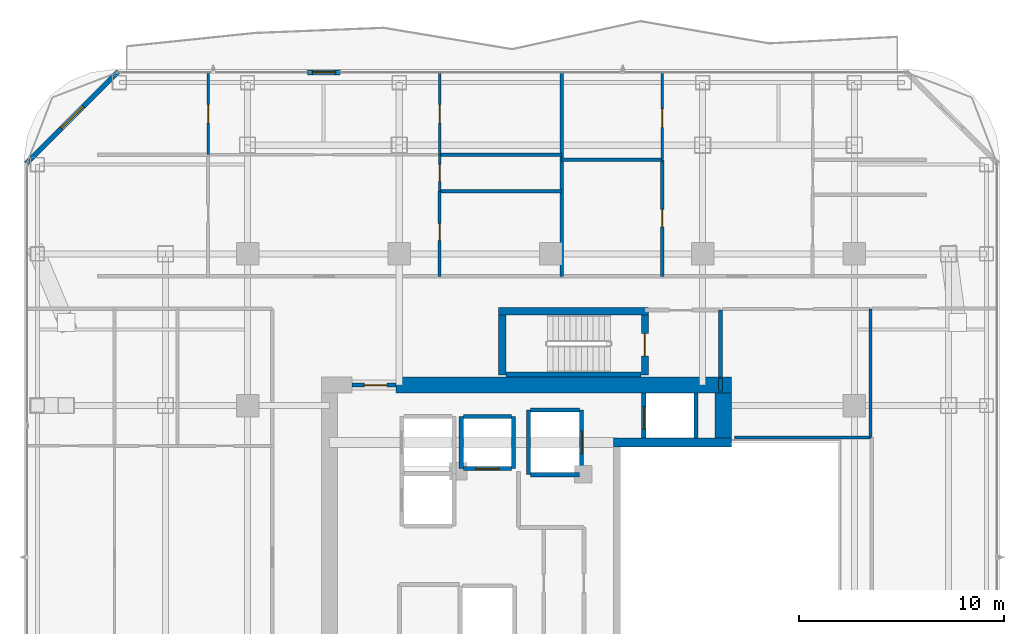
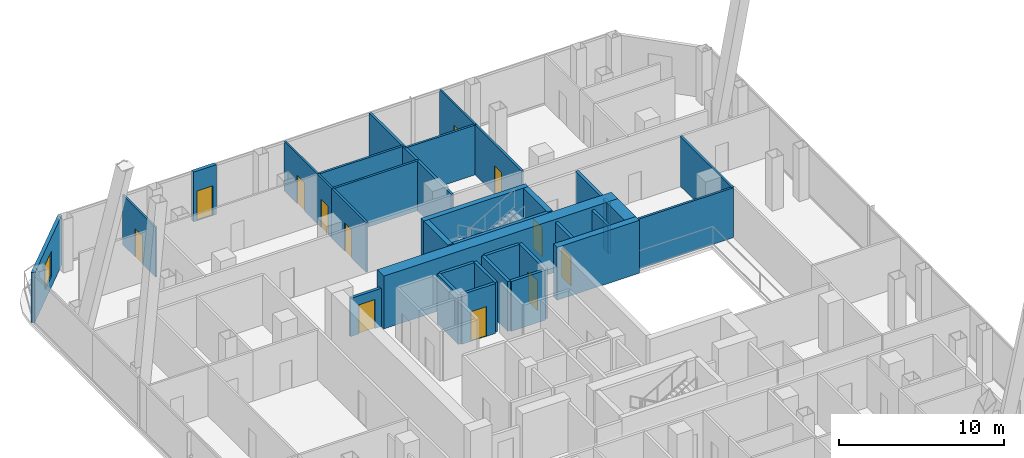
# One storey, part 26 of 34: 34 walls, 12 doors, 1 window, 13 openings.
"""IFC4 building model written with IfcOpenShell, lengths in metres."""

from ifc_helpers import new_model, si_unit, direction, frame, frame_2d, origin, place, context, subcontext, project, spatial, rectangle, extrude, material, layer, layer_set, type_object, element, fill, save


model = new_model("IFC4")

# Units and contexts
model_context = context("Model", 3, precision=1e-05, world=origin(), true_north=direction((0.0, 1.0)))
body_context = subcontext(model_context, "Body", "Model", "MODEL_VIEW")
ifc_project = project(units=[si_unit("LENGTHUNIT", "METRE"), si_unit("AREAUNIT", "SQUARE_METRE"), si_unit("VOLUMEUNIT", "CUBIC_METRE"), si_unit("PLANEANGLEUNIT", "RADIAN"), si_unit("MASSUNIT", "GRAM", prefix="KILO")], contexts=[model_context])

# Site, building, storey
site_placement = place(None, origin())
site = spatial("IfcSite", under=ifc_project, at=site_placement, CompositionType="ELEMENT")
building_placement = place(site_placement, origin())
building = spatial("IfcBuilding", under=site, at=building_placement, Name="Khorvyn Point Tower", CompositionType="ELEMENT")
storey_placement = place(building_placement, frame((0.0, 0.0, 175.800048828125)))
storey = spatial("IfcBuildingStorey", under=building, at=storey_placement, Name="L43", CompositionType="ELEMENT", Elevation=175.800048828125)

# Wall
ifc_material_1 = material(Name="Double acoustic gypsum on twin steel stud", Category="steel")
ifc_layer_1 = layer(ifc_material_1, 0.179931640625)
ifc_layer_set_1 = layer_set([ifc_layer_1], Name="Acoustic Double-Stud Apartment Demising Wall 180")
wall_type_1 = type_object("IfcWallType", Name="Acoustic Double-Stud Apartment Demising Wall 180", PredefinedType="PARTITIONING", material=ifc_layer_set_1)
wall_1_placement = place(storey_placement, frame((0.52587890625, 13.699951171875, 0.0), z_axis=(0.0, 0.0, 1.0), x_axis=(0.0, 1.0, 0.0)))
element("IfcWall", 1, at=wall_1_placement, inside=storey, type_object=wall_type_1, Name="Wall", PredefinedType="PARTITIONING", context=body_context, shape_type="SweptSolid", body=[
    extrude(rectangle(XDim=9.929931640625, YDim=0.179931640625, at=frame_2d((4.96484375, 0.0))), origin(), (0.0, 0.0, 1.0), 3.679931640625),
])

# Wall, opening, door
ifc_material_2 = material(Name="Pale anodised aluminium rainscreen on steel stud", Category="steel")
ifc_layer_2 = layer(ifc_material_2, 0.239990234375)
ifc_layer_set_2 = layer_set([ifc_layer_2], Name="Anodised Aluminium Insulated Corner Spandrel Wall 240")
wall_type_2 = type_object("IfcWallType", Name="Anodised Aluminium Insulated Corner Spandrel Wall 240", PredefinedType="SOLIDWALL", material=ifc_layer_set_2)
wall_2_placement = place(storey_placement, frame((-11.866943359375, 23.64990234375, 0.0), z_axis=(0.0, 0.0, 1.0), x_axis=(1.0, 0.0, 0.0)))
wall_2 = element("IfcWall", 2, at=wall_2_placement, inside=storey, type_object=wall_type_2, Name="L43 North Outdoor Threshold Wall", PredefinedType="SOLIDWALL", context=body_context, shape_type="SweptSolid", body=[
    extrude(rectangle(XDim=1.579833984375, YDim=0.239990234375, at=frame_2d((0.7900390625, 0.0))), origin(), (0.0, 0.0, 1.0), 3.679931640625),
])
opening_1_placement = place(wall_2_placement, frame((0.239990234375, 0.0, 0.0)))
opening_1 = element("IfcOpeningElement", 3, at=opening_1_placement, cuts=wall_2, Name="Opening BD-1122", PredefinedType="OPENING", context=body_context, shape_type="SweptSolid", body=[
    extrude(rectangle(XDim=1.10009765625, YDim=2.199951171875, at=frame_2d((0.550048828125, 1.10009765625))), frame((0.0, 0.1298828125, 0.0), z_axis=(0.0, -1.0, 0.0), x_axis=(1.0, 0.0, 0.0)), (0.0, 0.0, 1.0), 0.260009765625),
])
ifc_material_3 = material(Name="Anodised aluminium 6063-T6 and laminated Low-E glass", Category="aluminium")
door_type_1 = type_object("IfcDoorType", Name="Glazed Balcony and Terrace Threshold Door 1100x2200", OperationType="NOTDEFINED", PredefinedType="DOOR", material=ifc_material_3)
door_1_placement = place(opening_1_placement, origin())
door_1 = element("IfcDoor", 4, at=door_1_placement, inside=storey, type_object=door_type_1, Name="L43 North Glazed Balcony Outdoor Door", OperationType="SINGLE_SWING_RIGHT", OverallHeight=2.199951171875, OverallWidth=1.10009765625, PredefinedType="DOOR", context=body_context, shape_type="SweptSolid", body=[
    extrude(rectangle(XDim=1.10009765625, YDim=2.199951171875, at=frame_2d((0.550048828125, 1.10009765625))), frame((0.0, 0.02490234375, 0.0), z_axis=(0.0, -1.0, 0.0), x_axis=(1.0, 0.0, 0.0)), (0.0, 0.0, 1.0), 0.050048828125),
])
fill(opening_1, door_1)

# Wall, opening, window
wall_3_placement = place(storey_placement, frame((-25.59228515625, 19.20751953125, 0.0), z_axis=(0.0, 0.0, 1.0), x_axis=(0.707087534163, 0.707126027686, 0.0)))
wall_3 = element("IfcWall", 5, at=wall_3_placement, inside=storey, type_object=wall_type_2, Name="L43 Rounded Corner Wall NW", PredefinedType="SOLIDWALL", context=body_context, shape_type="SweptSolid", body=[
    extrude(rectangle(XDim=6.34228515625, YDim=0.239990234375, at=frame_2d((3.171142578125, 0.0))), origin(), (0.0, 0.0, 1.0), 3.679931640625),
])
opening_2_placement = place(wall_3_placement, frame((2.42138671875, 0.0, 0.800048828125)))
opening_2 = element("IfcOpeningElement", 6, at=opening_2_placement, cuts=wall_3, Name="Opening WN-1518", PredefinedType="OPENING", context=body_context, shape_type="SweptSolid", body=[
    extrude(rectangle(XDim=1.5, YDim=1.85009765625, at=frame_2d((0.75, 0.925048828125))), frame((0.0, 0.1298828125, 0.0), z_axis=(0.0, -1.0, 0.0), x_axis=(1.0, 0.0, 0.0)), (0.0, 0.0, 1.0), 0.260009765625),
])
window_type = type_object("IfcWindowType", Name="Anodised Aluminium Rounded-Corner Panoramic Window 1500x1850", PartitioningType="SINGLE_PANEL", PredefinedType="WINDOW", material=ifc_material_3)
window_placement = place(opening_2_placement, origin())
window = element("IfcWindow", 7, at=window_placement, inside=storey, type_object=window_type, Name="L43 Corner Panoramic Window NW", OverallHeight=1.85009765625, OverallWidth=1.5, PartitioningType="SINGLE_PANEL", PredefinedType="WINDOW", context=body_context, shape_type="SweptSolid", body=[
    extrude(rectangle(XDim=1.5, YDim=1.85009765625, at=frame_2d((0.75, 0.925048828125))), frame((0.0, 0.030029296875, 0.0), z_axis=(0.0, -1.0, 0.0), x_axis=(1.0, 0.0, 0.0)), (0.0, 0.0, 1.0), 0.06005859375),
])
fill(opening_2, window)

# Wall
ifc_material_4 = material(Name="Concrete C40/50", Category="concrete")
ifc_layer_3 = layer(ifc_material_4, 0.449951171875)
ifc_layer_set_3 = layer_set([ifc_layer_3], Name="Concrete C40/50 Core Shear Wall 450")
wall_type_3 = type_object("IfcWallType", Name="Concrete C40/50 Core Shear Wall 450", PredefinedType="SHEAR", material=ifc_layer_set_3)
wall_4_placement = place(storey_placement, frame((3.044921875, 5.60009765625, 0.0), z_axis=(0.0, 0.0, 1.0), x_axis=(1.0, 0.0, 0.0)))
element("IfcWall", 8, at=wall_4_placement, inside=storey, type_object=wall_type_3, Name="Wall", PredefinedType="SHEAR", context=body_context, shape_type="SweptSolid", body=[
    extrude(rectangle(XDim=5.755126953125, YDim=0.449951171875, at=frame_2d((2.87744140625, 0.0))), origin(), (0.0, 0.0, 1.0), 3.89990234375),
])

# Wall, opening, door
ifc_layer_4 = layer(ifc_material_4, 0.199951171875)
ifc_layer_set_4 = layer_set([ifc_layer_4], Name="Concrete C40/50 Fire-Lobby Compartment Wall 200")
wall_type_4 = type_object("IfcWallType", Name="Concrete C40/50 Fire-Lobby Compartment Wall 200", PredefinedType="SOLIDWALL", material=ifc_layer_set_4)
wall_5_placement = place(storey_placement, frame((-9.699951171875, 8.39990234375, 0.0), z_axis=(0.0, 0.0, 1.0), x_axis=(1.0, 0.0, 0.0)))
wall_5 = element("IfcWall", 9, at=wall_5_placement, inside=storey, type_object=wall_type_4, Name="Wall", PredefinedType="SOLIDWALL", context=body_context, shape_type="SweptSolid", body=[
    extrude(rectangle(XDim=2.14990234375, YDim=0.199951171875, at=frame_2d((1.074951171875, 0.0))), origin(), (0.0, 0.0, 1.0), 2.820068359375),
])
opening_3_placement = place(wall_5_placement, frame((0.597900390625, 0.0, 0.0)))
opening_3 = element("IfcOpeningElement", 10, at=opening_3_placement, cuts=wall_5, Name="Opening ID-FL90", PredefinedType="OPENING", context=body_context, shape_type="SweptSolid", body=[
    extrude(rectangle(XDim=1.10009765625, YDim=2.14990234375, at=frame_2d((0.550048828125, 1.074951171875))), frame((0.0, 0.10986328125, 0.0), z_axis=(0.0, -1.0, 0.0), x_axis=(1.0, 0.0, 0.0)), (0.0, 0.0, 1.0), 0.219970703125),
])
ifc_material_5 = material(Name="Galvanised powder-coated steel", Category="steel")
door_type_2 = type_object("IfcDoorType", Name="Fire-Rated Steel Lobby and Stair Door 1100x2150", OperationType="NOTDEFINED", PredefinedType="DOOR", material=ifc_material_5)
door_2_placement = place(opening_3_placement, origin())
door_2 = element("IfcDoor", 11, at=door_2_placement, inside=storey, type_object=door_type_2, Name="Door", OperationType="SINGLE_SWING_LEFT", OverallHeight=2.14990234375, OverallWidth=1.10009765625, PredefinedType="DOOR", context=body_context, shape_type="SweptSolid", body=[
    extrude(rectangle(XDim=1.10009765625, YDim=2.14990234375, at=frame_2d((0.550048828125, 1.074951171875))), frame((0.0, 0.02490234375, 0.0), z_axis=(0.0, -1.0, 0.0), x_axis=(1.0, 0.0, 0.0)), (0.0, 0.0, 1.0), 0.050048828125),
])
fill(opening_3, door_2)

# Walls
wall_6_placement = place(storey_placement, frame((8.280029296875, 8.800048828125, 0.0), z_axis=(0.0, 0.0, 1.0), x_axis=(0.0, 1.0, 0.0)))
element("IfcWall", 12, at=wall_6_placement, inside=storey, type_object=wall_type_4, Name="Wall", PredefinedType="SOLIDWALL", context=body_context, shape_type="SweptSolid", body=[
    extrude(rectangle(XDim=3.260009765625, YDim=0.199951171875, at=frame_2d((1.6298828125, 0.0))), origin(), (0.0, 0.0, 1.0), 3.679931640625),
])
wall_7_placement = place(storey_placement, frame((8.280029296875, 8.10009765625, 0.0), z_axis=(0.0, 0.0, 1.0), x_axis=(0.0, 1.0, 0.0)))
element("IfcWall", 13, at=wall_7_placement, inside=storey, type_object=wall_type_4, Name="Wall", PredefinedType="SOLIDWALL", context=body_context, shape_type="SweptSolid", body=[
    extrude(rectangle(XDim=0.625, YDim=0.199951171875, at=frame_2d((0.3125, 0.0))), origin(), (0.0, 0.0, 1.0), 3.679931640625),
])
ifc_layer_5 = layer(ifc_material_4, 0.25)
ifc_layer_set_5 = layer_set([ifc_layer_5], Name="Concrete C40/50 Stair Inner Cheek Structural Wall 250")
wall_type_5 = type_object("IfcWallType", Name="Concrete C40/50 Stair Inner Cheek Structural Wall 250", PredefinedType="SHEAR", material=ifc_layer_set_5)
wall_8_placement = place(storey_placement, frame((-2.199951171875, 8.91259765625, 0.0), z_axis=(0.0, 0.0, 1.0), x_axis=(1.0, 0.0, 0.0)))
element("IfcWall", 14, at=wall_8_placement, inside=storey, type_object=wall_type_5, Name="Wall", PredefinedType="SHEAR", context=body_context, shape_type="SweptSolid", body=[
    extrude(rectangle(XDim=6.599853515625, YDim=0.22509765625, at=frame_2d((3.2998046875, 0.0))), origin(), (0.0, 0.0, 1.0), 3.89990234375),
])
ifc_layer_6 = layer(ifc_material_4, 0.35009765625)
ifc_layer_set_6 = layer_set([ifc_layer_6], Name="Concrete C40/50 Stair Shaft Structural Wall 350")
wall_type_6 = type_object("IfcWallType", Name="Concrete C40/50 Stair Shaft Structural Wall 350", PredefinedType="SHEAR", material=ifc_layer_set_6)
wall_9_placement = place(storey_placement, frame((-2.554931640625, 12.0, 0.0), z_axis=(0.0, 0.0, 1.0), x_axis=(1.0, 0.0, 0.0)))
element("IfcWall", 15, at=wall_9_placement, inside=storey, type_object=wall_type_6, Name="L43 ST-02 North Shaft Wall", PredefinedType="SHEAR", context=body_context, shape_type="SweptSolid", body=[
    extrude(rectangle(XDim=7.309814453125, YDim=0.35009765625, at=frame_2d((3.65478515625, 0.0))), origin(), (0.0, 0.0, 1.0), 3.89990234375),
])
wall_10_placement = place(storey_placement, frame((-2.3798828125, 8.89990234375, 0.0), z_axis=(0.0, 0.0, 1.0), x_axis=(0.0, 1.0, 0.0)))
element("IfcWall", 16, at=wall_10_placement, inside=storey, type_object=wall_type_6, Name="L43 ST-02 West Shaft Wall", PredefinedType="SHEAR", context=body_context, shape_type="SweptSolid", body=[
    extrude(rectangle(XDim=2.925048828125, YDim=0.35009765625, at=frame_2d((1.46240234375, 0.0))), origin(), (0.0, 0.0, 1.0), 3.89990234375),
])

# Wall, opening, door
wall_11_placement = place(storey_placement, frame((4.580078125, 11.824951171875, 0.0), z_axis=(0.0, 0.0, 1.0), x_axis=(0.0, -1.0, 0.0)))
wall_11 = element("IfcWall", 17, at=wall_11_placement, inside=storey, type_object=wall_type_6, Name="L43 ST-02 East Landing Door Wall", PredefinedType="SHEAR", context=body_context, shape_type="SweptSolid", body=[
    extrude(rectangle(XDim=2.925048828125, YDim=0.35009765625, at=frame_2d((1.46240234375, 0.0))), origin(), (0.0, 0.0, 1.0), 3.89990234375),
])
opening_4_placement = place(wall_11_placement, frame((0.91259765625, 0.0, 0.0)))
opening_4 = element("IfcOpeningElement", 18, at=opening_4_placement, cuts=wall_11, Name="Opening ID-FL90", PredefinedType="OPENING", context=body_context, shape_type="SweptSolid", body=[
    extrude(rectangle(XDim=1.10009765625, YDim=2.14990234375, at=frame_2d((0.550048828125, 1.074951171875))), frame((0.0, 0.18505859375, 0.0), z_axis=(0.0, -1.0, 0.0), x_axis=(1.0, 0.0, 0.0)), (0.0, 0.0, 1.0), 0.3701171875),
])
door_3_placement = place(opening_4_placement, origin())
door_3 = element("IfcDoor", 19, at=door_3_placement, inside=storey, type_object=door_type_2, Name="L43 ST-02 Smokeproof Landing Door", OperationType="SINGLE_SWING_RIGHT", OverallHeight=2.14990234375, OverallWidth=1.10009765625, PredefinedType="DOOR", context=body_context, shape_type="SweptSolid", body=[
    extrude(rectangle(XDim=1.10009765625, YDim=2.14990234375, at=frame_2d((0.550048828125, 1.074951171875))), frame((0.0, 0.02490234375, 0.0), z_axis=(0.0, -1.0, 0.0), x_axis=(1.0, 0.0, 0.0)), (0.0, 0.0, 1.0), 0.050048828125),
])
fill(opening_4, door_3)

# Walls
ifc_layer_7 = layer(ifc_material_4, 0.199951171875)
ifc_layer_set_7 = layer_set([ifc_layer_7], Name="Concrete C40/50 Structural Hoistway and Stair Shaft Wall 200")
wall_type_7 = type_object("IfcWallType", Name="Concrete C40/50 Structural Hoistway and Stair Shaft Wall 200", PredefinedType="SHEAR", material=ifc_layer_set_7)
for number, where, z_axis, x_axis, name in (
    (20, (-4.375, 4.324951171875, 0.0), (0.0, 0.0, 1.0), (0.0, 1.0, 0.0), "Wall"),
    (21, (-1.824951171875, 4.324951171875, 0.0), (0.0, 0.0, 1.0), (0.0, 1.0, 0.0), "Wall"),
):
    element("IfcWall", number, at=place(storey_placement, frame(where, z_axis=z_axis, x_axis=x_axis)), inside=storey, type_object=wall_type_7, Name=name, PredefinedType="SHEAR", context=body_context, shape_type="SweptSolid", body=[
        extrude(rectangle(XDim=2.550048828125, YDim=0.199951171875, at=frame_2d((1.27490234375, 0.0))), origin(), (0.0, 0.0, 1.0), 3.679931640625),
    ])

# Wall, opening, door
wall_12_placement = place(storey_placement, frame((-4.27490234375, 4.324951171875, 0.0), z_axis=(0.0, 0.0, 1.0), x_axis=(1.0, 0.0, 0.0)))
wall_12 = element("IfcWall", 22, at=wall_12_placement, inside=storey, type_object=wall_type_7, Name="Wall", PredefinedType="SHEAR", context=body_context, shape_type="SweptSolid", body=[
    extrude(rectangle(XDim=2.349853515625, YDim=0.199951171875, at=frame_2d((1.1748046875, 0.0))), origin(), (0.0, 0.0, 1.0), 3.679931640625),
])
opening_5_placement = place(wall_12_placement, frame((0.625, 0.0, 0.0)))
opening_5 = element("IfcOpeningElement", 23, at=opening_5_placement, cuts=wall_12, Name="Opening LD-1122", PredefinedType="OPENING", context=body_context, shape_type="SweptSolid", body=[
    extrude(rectangle(XDim=1.10009765625, YDim=2.199951171875, at=frame_2d((0.550048828125, 1.10009765625))), frame((0.0, 0.10986328125, 0.0), z_axis=(0.0, -1.0, 0.0), x_axis=(1.0, 0.0, 0.0)), (0.0, 0.0, 1.0), 0.219970703125),
])
ifc_material_6 = material(Name="Stainless steel 1.4301", Category="steel")
door_type_3 = type_object("IfcDoorType", Name="Stainless Steel Automatic Sliding Lift Landing Door 1100x2200", OperationType="SLIDING_TO_LEFT", PredefinedType="DOOR", material=ifc_material_6)
door_4_placement = place(opening_5_placement, origin())
door_4 = element("IfcDoor", 24, at=door_4_placement, inside=storey, type_object=door_type_3, Name="L43 RM-03 Sliding Lift Landing Door", OperationType="SLIDING_TO_LEFT", OverallHeight=2.199951171875, OverallWidth=1.10009765625, PredefinedType="DOOR", context=body_context, shape_type="SweptSolid", body=[
    extrude(rectangle(XDim=1.10009765625, YDim=2.199951171875, at=frame_2d((0.550048828125, 1.10009765625))), frame((0.0, 0.02490234375, 0.0), z_axis=(0.0, -1.0, 0.0), x_axis=(1.0, 0.0, 0.0)), (0.0, 0.0, 1.0), 0.050048828125),
])
fill(opening_5, door_4)

# Walls
wall_13_placement = place(storey_placement, frame((-4.27490234375, 6.875, 0.0), z_axis=(0.0, 0.0, 1.0), x_axis=(1.0, 0.0, 0.0)))
element("IfcWall", 25, at=wall_13_placement, inside=storey, type_object=wall_type_7, Name="Wall", PredefinedType="SHEAR", context=body_context, shape_type="SweptSolid", body=[
    extrude(rectangle(XDim=2.349853515625, YDim=0.199951171875, at=frame_2d((1.1748046875, 0.0))), origin(), (0.0, 0.0, 1.0), 3.679931640625),
])
wall_14_placement = place(storey_placement, frame((-1.10009765625, 4.02490234375, 0.0), z_axis=(0.0, 0.0, 1.0), x_axis=(0.0, 1.0, 0.0)))
element("IfcWall", 26, at=wall_14_placement, inside=storey, type_object=wall_type_7, Name="Wall", PredefinedType="SHEAR", context=body_context, shape_type="SweptSolid", body=[
    extrude(rectangle(XDim=3.150146484375, YDim=0.199951171875, at=frame_2d((1.5751953125, 0.0))), origin(), (0.0, 0.0, 1.0), 3.679931640625),
])

# Wall, opening, door
wall_15_placement = place(storey_placement, frame((1.5, 4.02490234375, 0.0), z_axis=(0.0, 0.0, 1.0), x_axis=(0.0, 1.0, 0.0)))
wall_15 = element("IfcWall", 27, at=wall_15_placement, inside=storey, type_object=wall_type_7, Name="Wall", PredefinedType="SHEAR", context=body_context, shape_type="SweptSolid", body=[
    extrude(rectangle(XDim=3.150146484375, YDim=0.199951171875, at=frame_2d((1.5751953125, 0.0))), origin(), (0.0, 0.0, 1.0), 3.679931640625),
])
opening_6_placement = place(wall_15_placement, frame((1.02490234375, 0.0, 0.0)))
opening_6 = element("IfcOpeningElement", 28, at=opening_6_placement, cuts=wall_15, Name="Opening LD-1122", PredefinedType="OPENING", context=body_context, shape_type="SweptSolid", body=[
    extrude(rectangle(XDim=1.10009765625, YDim=2.199951171875, at=frame_2d((0.550048828125, 1.10009765625))), frame((0.0, 0.10986328125, 0.0), z_axis=(0.0, -1.0, 0.0), x_axis=(1.0, 0.0, 0.0)), (0.0, 0.0, 1.0), 0.219970703125),
])
door_5_placement = place(opening_6_placement, origin())
door_5 = element("IfcDoor", 29, at=door_5_placement, inside=storey, type_object=door_type_3, Name="L43 SV-01 Sliding Lift Landing Door", OperationType="SLIDING_TO_LEFT", OverallHeight=2.199951171875, OverallWidth=1.10009765625, PredefinedType="DOOR", context=body_context, shape_type="SweptSolid", body=[
    extrude(rectangle(XDim=1.10009765625, YDim=2.199951171875, at=frame_2d((0.550048828125, 1.10009765625))), frame((0.0, 0.02490234375, 0.0), z_axis=(0.0, -1.0, 0.0), x_axis=(1.0, 0.0, 0.0)), (0.0, 0.0, 1.0), 0.050048828125),
])
fill(opening_6, door_5)

# Walls
for number, where, z_axis, x_axis, name in (
    (30, (-1.0, 4.02490234375, 0.0), (0.0, 0.0, 1.0), (1.0, 0.0, 0.0), "Wall"),
    (31, (-1.0, 7.175048828125, 0.0), (0.0, 0.0, 1.0), (1.0, 0.0, 0.0), "Wall"),
):
    element("IfcWall", number, at=place(storey_placement, frame(where, z_axis=z_axis, x_axis=x_axis)), inside=storey, type_object=wall_type_7, Name=name, PredefinedType="SHEAR", context=body_context, shape_type="SweptSolid", body=[
        extrude(rectangle(XDim=2.39990234375, YDim=0.199951171875, at=frame_2d((1.199951171875, 0.0))), origin(), (0.0, 0.0, 1.0), 3.679931640625),
    ])

# Wall, opening, door
wall_16_placement = place(storey_placement, frame((4.52490234375, 5.824951171875, 0.0), z_axis=(0.0, 0.0, 1.0), x_axis=(0.0, 1.0, 0.0)))
wall_16 = element("IfcWall", 32, at=wall_16_placement, inside=storey, type_object=wall_type_7, Name="Wall", PredefinedType="SHEAR", context=body_context, shape_type="SweptSolid", body=[
    extrude(rectangle(XDim=2.175048828125, YDim=0.199951171875, at=frame_2d((1.08740234375, 0.0))), origin(), (0.0, 0.0, 1.0), 3.679931640625),
])
opening_7_placement = place(wall_16_placement, frame((0.425048828125, 0.0, 0.0)))
opening_7 = element("IfcOpeningElement", 33, at=opening_7_placement, cuts=wall_16, Name="Opening LD-1122", PredefinedType="OPENING", context=body_context, shape_type="SweptSolid", body=[
    extrude(rectangle(XDim=1.10009765625, YDim=2.199951171875, at=frame_2d((0.550048828125, 1.10009765625))), frame((0.0, 0.10986328125, 0.0), z_axis=(0.0, -1.0, 0.0), x_axis=(1.0, 0.0, 0.0)), (0.0, 0.0, 1.0), 0.219970703125),
])
door_6_placement = place(opening_7_placement, origin())
door_6 = element("IfcDoor", 34, at=door_6_placement, inside=storey, type_object=door_type_3, Name="L43 FF-02 Sliding Lift Landing Door", OperationType="SLIDING_TO_LEFT", OverallHeight=2.199951171875, OverallWidth=1.10009765625, PredefinedType="DOOR", context=body_context, shape_type="SweptSolid", body=[
    extrude(rectangle(XDim=1.10009765625, YDim=2.199951171875, at=frame_2d((0.550048828125, 1.10009765625))), frame((0.0, 0.02490234375, 0.0), z_axis=(0.0, -1.0, 0.0), x_axis=(1.0, 0.0, 0.0)), (0.0, 0.0, 1.0), 0.050048828125),
])
fill(opening_7, door_6)

# Walls
wall_17_placement = place(storey_placement, frame((7.074951171875, 5.824951171875, 0.0), z_axis=(0.0, 0.0, 1.0), x_axis=(0.0, 1.0, 0.0)))
element("IfcWall", 35, at=wall_17_placement, inside=storey, type_object=wall_type_7, Name="Wall", PredefinedType="SHEAR", context=body_context, shape_type="SweptSolid", body=[
    extrude(rectangle(XDim=2.175048828125, YDim=0.199951171875, at=frame_2d((1.08740234375, 0.0))), origin(), (0.0, 0.0, 1.0), 3.679931640625),
])
ifc_material_7 = material(Name="Concrete C45/55", Category="concrete")
ifc_layer_8 = layer(ifc_material_7, 0.800048828125)
ifc_layer_set_8 = layer_set([ifc_layer_8], Name="Concrete C45/55 Core Shear Wall 800")
wall_type_8 = type_object("IfcWallType", Name="Concrete C45/55 Core Shear Wall 800", PredefinedType="SHEAR", material=ifc_layer_set_8)
wall_18_placement = place(storey_placement, frame((-7.550048828125, 8.39990234375, 0.0), z_axis=(0.0, 0.0, 1.0), x_axis=(1.0, 0.0, 0.0)))
element("IfcWall", 36, at=wall_18_placement, inside=storey, type_object=wall_type_8, Name="Wall", PredefinedType="SHEAR", context=body_context, shape_type="SweptSolid", body=[
    extrude(rectangle(XDim=16.35009765625, YDim=0.800048828125, at=frame_2d((8.175048828125, 0.0))), origin(), (0.0, 0.0, 1.0), 3.89990234375),
])
wall_19_placement = place(storey_placement, frame((8.39990234375, 5.824951171875, 0.0), z_axis=(0.0, 0.0, 1.0), x_axis=(0.0, 1.0, 0.0)))
element("IfcWall", 37, at=wall_19_placement, inside=storey, type_object=wall_type_8, Name="Wall", PredefinedType="SHEAR", context=body_context, shape_type="SweptSolid", body=[
    extrude(rectangle(XDim=2.175048828125, YDim=0.800048828125, at=frame_2d((1.08740234375, 0.0))), origin(), (0.0, 0.0, 1.0), 3.89990234375),
])

# Wall, opening, door
ifc_material_8 = material(Name="Gypsum plasterboard on steel stud", Category="steel")
ifc_layer_9 = layer(ifc_material_8, 0.1201171875)
ifc_layer_set_9 = layer_set([ifc_layer_9], Name="Gypsum Acoustic Stud Room Partition Wall 120")
wall_type_9 = type_object("IfcWallType", Name="Gypsum Acoustic Stud Room Partition Wall 120", PredefinedType="PARTITIONING", material=ifc_layer_set_9)
wall_20_placement = place(storey_placement, frame((-16.72607421875, 19.634033203125, 0.0), z_axis=(0.0, 0.0, 1.0), x_axis=(0.0, 1.0, 0.0)))
wall_20 = element("IfcWall", 38, at=wall_20_placement, inside=storey, type_object=wall_type_9, Name="Wall", PredefinedType="PARTITIONING", context=body_context, shape_type="SweptSolid", body=[
    extrude(rectangle(XDim=3.995849609375, YDim=0.1201171875, at=frame_2d((1.998046875, 0.0))), origin(), (0.0, 0.0, 1.0), 3.679931640625),
])
opening_8_placement = place(wall_20_placement, frame((1.548095703125, 0.0, 0.0)))
opening_8 = element("IfcOpeningElement", 39, at=opening_8_placement, cuts=wall_20, Name="Opening ID-RM90", PredefinedType="OPENING", context=body_context, shape_type="SweptSolid", body=[
    extrude(rectangle(XDim=0.89990234375, YDim=2.10009765625, at=frame_2d((0.449951171875, 1.050048828125))), frame((0.0, 0.070068359375, 0.0), z_axis=(0.0, -1.0, 0.0), x_axis=(1.0, 0.0, 0.0)), (0.0, 0.0, 1.0), 0.14013671875),
])
ifc_material_9 = material(Name="Engineered oak veneer timber", Category="wood")
door_type_4 = type_object("IfcDoorType", Name="Flush Engineered Timber Room Door 900x2100", OperationType="NOTDEFINED", PredefinedType="DOOR", material=ifc_material_9)
door_7_placement = place(opening_8_placement, origin())
door_7 = element("IfcDoor", 40, at=door_7_placement, inside=storey, type_object=door_type_4, Name="Door", OperationType="SINGLE_SWING_RIGHT", OverallHeight=2.10009765625, OverallWidth=0.89990234375, PredefinedType="DOOR", context=body_context, shape_type="SweptSolid", body=[
    extrude(rectangle(XDim=0.89990234375, YDim=2.10009765625, at=frame_2d((0.449951171875, 1.050048828125))), frame((0.0, 0.02490234375, 0.0), z_axis=(0.0, -1.0, 0.0), x_axis=(1.0, 0.0, 0.0)), (0.0, 0.0, 1.0), 0.050048828125),
])
fill(opening_8, door_7)

wall_21_placement = place(storey_placement, frame((-5.427978515625, 17.85400390625, 0.0), z_axis=(0.0, 0.0, 1.0), x_axis=(0.0, 1.0, 0.0)))
wall_21 = element("IfcWall", 41, at=wall_21_placement, inside=storey, type_object=wall_type_9, Name="Wall", PredefinedType="PARTITIONING", context=body_context, shape_type="SweptSolid", body=[
    extrude(rectangle(XDim=1.780029296875, YDim=0.1201171875, at=frame_2d((0.89013671875, 0.0))), origin(), (0.0, 0.0, 1.0), 3.679931640625),
])
opening_9_placement = place(wall_21_placement, frame((0.465087890625, 0.0, 0.0)))
opening_9 = element("IfcOpeningElement", 42, at=opening_9_placement, cuts=wall_21, Name="Opening ID-WC85", PredefinedType="OPENING", context=body_context, shape_type="SweptSolid", body=[
    extrude(rectangle(XDim=0.85009765625, YDim=2.10009765625, at=frame_2d((0.425048828125, 1.050048828125))), frame((0.0, 0.070068359375, 0.0), z_axis=(0.0, -1.0, 0.0), x_axis=(1.0, 0.0, 0.0)), (0.0, 0.0, 1.0), 0.14013671875),
])
ifc_material_10 = material(Name="High-pressure laminate on moisture-resistant core", Category="wood")
door_type_5 = type_object("IfcDoorType", Name="Moisture-Resistant Accessible Washroom Door 850x2100", OperationType="NOTDEFINED", PredefinedType="DOOR", material=ifc_material_10)
door_8_placement = place(opening_9_placement, origin())
door_8 = element("IfcDoor", 43, at=door_8_placement, inside=storey, type_object=door_type_5, Name="Door", OperationType="SINGLE_SWING_RIGHT", OverallHeight=2.10009765625, OverallWidth=0.85009765625, PredefinedType="DOOR", context=body_context, shape_type="SweptSolid", body=[
    extrude(rectangle(XDim=0.85009765625, YDim=2.10009765625, at=frame_2d((0.425048828125, 1.050048828125))), frame((0.0, 0.02490234375, 0.0), z_axis=(0.0, -1.0, 0.0), x_axis=(1.0, 0.0, 0.0)), (0.0, 0.0, 1.0), 0.050048828125),
])
fill(opening_9, door_8)

wall_22_placement = place(storey_placement, frame((-5.427978515625, 19.634033203125, 0.0), z_axis=(0.0, 0.0, 1.0), x_axis=(0.0, 1.0, 0.0)))
wall_22 = element("IfcWall", 44, at=wall_22_placement, inside=storey, type_object=wall_type_9, Name="Wall", PredefinedType="PARTITIONING", context=body_context, shape_type="SweptSolid", body=[
    extrude(rectangle(XDim=3.995849609375, YDim=0.1201171875, at=frame_2d((1.998046875, 0.0))), origin(), (0.0, 0.0, 1.0), 3.679931640625),
])
opening_10_placement = place(wall_22_placement, frame((1.548095703125, 0.0, 0.0)))
opening_10 = element("IfcOpeningElement", 45, at=opening_10_placement, cuts=wall_22, Name="Opening ID-RM90", PredefinedType="OPENING", context=body_context, shape_type="SweptSolid", body=[
    extrude(rectangle(XDim=0.89990234375, YDim=2.10009765625, at=frame_2d((0.449951171875, 1.050048828125))), frame((0.0, 0.070068359375, 0.0), z_axis=(0.0, -1.0, 0.0), x_axis=(1.0, 0.0, 0.0)), (0.0, 0.0, 1.0), 0.14013671875),
])
door_9_placement = place(opening_10_placement, origin())
door_9 = element("IfcDoor", 46, at=door_9_placement, inside=storey, type_object=door_type_4, Name="Door", OperationType="SINGLE_SWING_LEFT", OverallHeight=2.10009765625, OverallWidth=0.89990234375, PredefinedType="DOOR", context=body_context, shape_type="SweptSolid", body=[
    extrude(rectangle(XDim=0.89990234375, YDim=2.10009765625, at=frame_2d((0.449951171875, 1.050048828125))), frame((0.0, 0.02490234375, 0.0), z_axis=(0.0, -1.0, 0.0), x_axis=(1.0, 0.0, 0.0)), (0.0, 0.0, 1.0), 0.050048828125),
])
fill(opening_10, door_9)

wall_23_placement = place(storey_placement, frame((5.430908203125, 19.389892578125, 0.0), z_axis=(0.0, 0.0, 1.0), x_axis=(0.0, 1.0, 0.0)))
wall_23 = element("IfcWall", 47, at=wall_23_placement, inside=storey, type_object=wall_type_9, Name="Wall", PredefinedType="PARTITIONING", context=body_context, shape_type="SweptSolid", body=[
    extrude(rectangle(XDim=4.239990234375, YDim=0.1201171875, at=frame_2d((2.1201171875, 0.0))), origin(), (0.0, 0.0, 1.0), 3.679931640625),
])
opening_11_placement = place(wall_23_placement, frame((1.581298828125, 0.0, 0.0)))
opening_11 = element("IfcOpeningElement", 48, at=opening_11_placement, cuts=wall_23, Name="Opening ID-RM90", PredefinedType="OPENING", context=body_context, shape_type="SweptSolid", body=[
    extrude(rectangle(XDim=0.89990234375, YDim=2.10009765625, at=frame_2d((0.449951171875, 1.050048828125))), frame((0.0, 0.070068359375, 0.0), z_axis=(0.0, -1.0, 0.0), x_axis=(1.0, 0.0, 0.0)), (0.0, 0.0, 1.0), 0.14013671875),
])
door_10_placement = place(opening_11_placement, origin())
door_10 = element("IfcDoor", 49, at=door_10_placement, inside=storey, type_object=door_type_4, Name="Door", OperationType="SINGLE_SWING_RIGHT", OverallHeight=2.10009765625, OverallWidth=0.89990234375, PredefinedType="DOOR", context=body_context, shape_type="SweptSolid", body=[
    extrude(rectangle(XDim=0.89990234375, YDim=2.10009765625, at=frame_2d((0.449951171875, 1.050048828125))), frame((0.0, 0.02490234375, 0.0), z_axis=(0.0, -1.0, 0.0), x_axis=(1.0, 0.0, 0.0)), (0.0, 0.0, 1.0), 0.050048828125),
])
fill(opening_11, door_10)

ifc_material_11 = material(Name="Moisture-resistant gypsum and cement board", Category="gypsum")
ifc_layer_10 = layer(ifc_material_11, 0.14990234375)
ifc_layer_set_10 = layer_set([ifc_layer_10], Name="Moisture-Resistant Wet-Room Partition Wall 150")
wall_type_10 = type_object("IfcWallType", Name="Moisture-Resistant Wet-Room Partition Wall 150", PredefinedType="PARTITIONING", material=ifc_layer_set_10)
wall_24_placement = place(storey_placement, frame((-5.427978515625, 13.699951171875, 0.0), z_axis=(0.0, 0.0, 1.0), x_axis=(0.0, 1.0, 0.0)))
wall_24 = element("IfcWall", 50, at=wall_24_placement, inside=storey, type_object=wall_type_10, Name="Wall", PredefinedType="PARTITIONING", context=body_context, shape_type="SweptSolid", body=[
    extrude(rectangle(XDim=4.154052734375, YDim=0.14990234375, at=frame_2d((2.0771484375, 0.0))), origin(), (0.0, 0.0, 1.0), 3.679931640625),
])
opening_12_placement = place(wall_24_placement, frame((1.73974609375, 0.0, 0.0)))
opening_12 = element("IfcOpeningElement", 51, at=opening_12_placement, cuts=wall_24, Name="Opening ID-WC85", PredefinedType="OPENING", context=body_context, shape_type="SweptSolid", body=[
    extrude(rectangle(XDim=0.85009765625, YDim=2.10009765625, at=frame_2d((0.425048828125, 1.050048828125))), frame((0.0, 0.0849609375, 0.0), z_axis=(0.0, -1.0, 0.0), x_axis=(1.0, 0.0, 0.0)), (0.0, 0.0, 1.0), 0.169921875),
])
door_11_placement = place(opening_12_placement, origin())
door_11 = element("IfcDoor", 52, at=door_11_placement, inside=storey, type_object=door_type_5, Name="Door", OperationType="SINGLE_SWING_LEFT", OverallHeight=2.10009765625, OverallWidth=0.85009765625, PredefinedType="DOOR", context=body_context, shape_type="SweptSolid", body=[
    extrude(rectangle(XDim=0.85009765625, YDim=2.10009765625, at=frame_2d((0.425048828125, 1.050048828125))), frame((0.0, 0.02490234375, 0.0), z_axis=(0.0, -1.0, 0.0), x_axis=(1.0, 0.0, 0.0)), (0.0, 0.0, 1.0), 0.050048828125),
])
fill(opening_12, door_11)

wall_25_placement = place(storey_placement, frame((5.430908203125, 13.699951171875, 0.0), z_axis=(0.0, 0.0, 1.0), x_axis=(0.0, 1.0, 0.0)))
wall_25 = element("IfcWall", 53, at=wall_25_placement, inside=storey, type_object=wall_type_10, Name="Wall", PredefinedType="PARTITIONING", context=body_context, shape_type="SweptSolid", body=[
    extrude(rectangle(XDim=5.68994140625, YDim=0.14990234375, at=frame_2d((2.844970703125, 0.0))), origin(), (0.0, 0.0, 1.0), 3.679931640625),
])
opening_13_placement = place(wall_25_placement, frame((2.419921875, 0.0, 0.0)))
opening_13 = element("IfcOpeningElement", 54, at=opening_13_placement, cuts=wall_25, Name="Opening ID-WC85", PredefinedType="OPENING", context=body_context, shape_type="SweptSolid", body=[
    extrude(rectangle(XDim=0.85009765625, YDim=2.10009765625, at=frame_2d((0.425048828125, 1.050048828125))), frame((0.0, 0.0849609375, 0.0), z_axis=(0.0, -1.0, 0.0), x_axis=(1.0, 0.0, 0.0)), (0.0, 0.0, 1.0), 0.169921875),
])
door_12_placement = place(opening_13_placement, origin())
door_12 = element("IfcDoor", 55, at=door_12_placement, inside=storey, type_object=door_type_5, Name="Door", OperationType="SINGLE_SWING_LEFT", OverallHeight=2.10009765625, OverallWidth=0.85009765625, PredefinedType="DOOR", context=body_context, shape_type="SweptSolid", body=[
    extrude(rectangle(XDim=0.85009765625, YDim=2.10009765625, at=frame_2d((0.425048828125, 1.050048828125))), frame((0.0, 0.02490234375, 0.0), z_axis=(0.0, -1.0, 0.0), x_axis=(1.0, 0.0, 0.0)), (0.0, 0.0, 1.0), 0.050048828125),
])
fill(opening_13, door_12)

# Walls
wall_26_placement = place(storey_placement, frame((15.580078125, 5.85009765625, 0.0), z_axis=(0.0, 0.0, 1.0), x_axis=(0.0, 1.0, 0.0)))
element("IfcWall", 56, at=wall_26_placement, inside=storey, type_object=wall_type_10, Name="Wall", PredefinedType="PARTITIONING", context=body_context, shape_type="SweptSolid", body=[
    extrude(rectangle(XDim=6.25, YDim=0.14990234375, at=frame_2d((3.125, 0.0))), origin(), (0.0, 0.0, 1.0), 3.679931640625),
])
wall_27_placement = place(storey_placement, frame((8.9599609375, 5.85009765625, 0.0), z_axis=(0.0, 0.0, 1.0), x_axis=(1.0, 0.0, 0.0)))
element("IfcWall", 57, at=wall_27_placement, inside=storey, type_object=wall_type_10, Name="Wall", PredefinedType="PARTITIONING", context=body_context, shape_type="SweptSolid", body=[
    extrude(rectangle(XDim=6.6201171875, YDim=0.14990234375, at=frame_2d((3.31005859375, 0.0))), origin(), (0.0, 0.0, 1.0), 3.679931640625),
])
for number, where, z_axis, x_axis, name in (
    (58, (-5.427978515625, 17.85400390625, 0.0), (0.0, 0.0, 1.0), (1.0, 0.0, 0.0), "Wall"),
    (59, (-5.427978515625, 19.634033203125, 0.0), (0.0, 0.0, 1.0), (1.0, 0.0, 0.0), "Wall"),
):
    element("IfcWall", number, at=place(storey_placement, frame(where, z_axis=z_axis, x_axis=x_axis)), inside=storey, type_object=wall_type_10, Name=name, PredefinedType="PARTITIONING", context=body_context, shape_type="SweptSolid", body=[
        extrude(rectangle(XDim=5.953857421875, YDim=0.14990234375, at=frame_2d((2.97705078125, 0.0))), origin(), (0.0, 0.0, 1.0), 3.679931640625),
    ])
wall_28_placement = place(storey_placement, frame((0.52587890625, 19.389892578125, 0.0), z_axis=(0.0, 0.0, 1.0), x_axis=(1.0, 0.0, 0.0)))
element("IfcWall", 60, at=wall_28_placement, inside=storey, type_object=wall_type_10, Name="Wall", PredefinedType="PARTITIONING", context=body_context, shape_type="SweptSolid", body=[
    extrude(rectangle(XDim=4.905029296875, YDim=0.14990234375, at=frame_2d((2.45263671875, 0.0))), origin(), (0.0, 0.0, 1.0), 3.679931640625),
])

save(model, "model.ifc")
